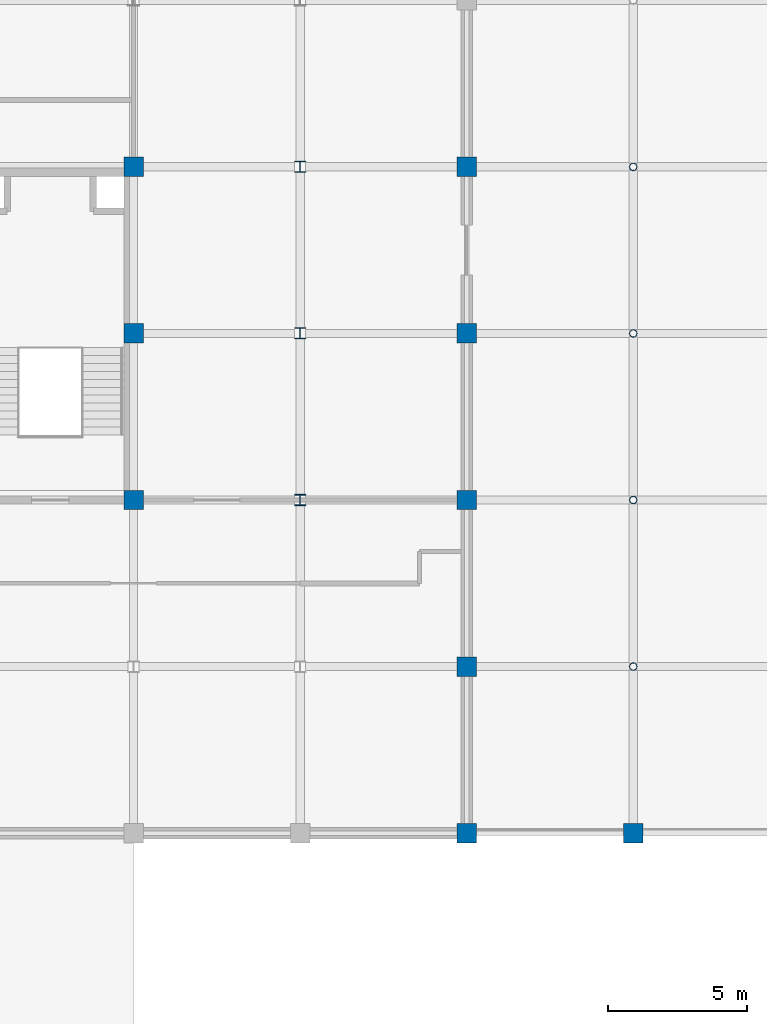
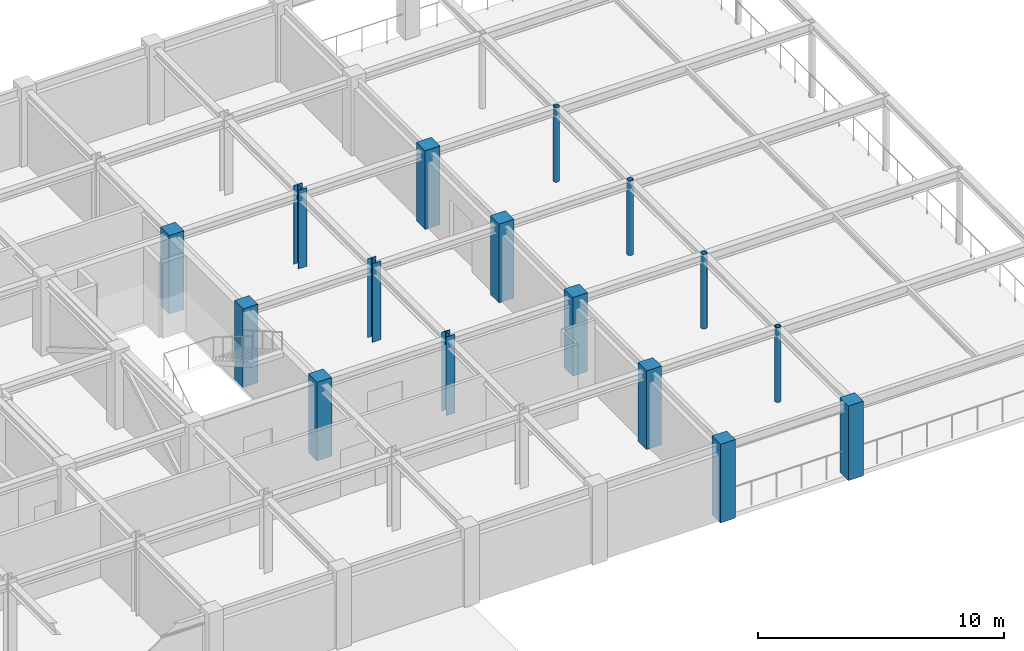
# One storey, part 5 of 25: 16 columns.
"""IFC4 building model written with IfcOpenShell, lengths in metres."""

from ifc_helpers import new_model, si_unit, direction, frame, origin, origin_2d, place, context, subcontext, project, spatial, rectangle, hollow_circle, i_section, extrude, material, material_profile, profile_set, type_object, element, save


model = new_model("IFC4")

# Units and contexts
model_context = context("Model", 3, precision=1e-05, world=origin(), true_north=direction((0.0, 1.0)))
body_context = subcontext(model_context, "Body", "Model", "MODEL_VIEW")
ifc_project = project(units=[si_unit("LENGTHUNIT", "METRE"), si_unit("AREAUNIT", "SQUARE_METRE"), si_unit("VOLUMEUNIT", "CUBIC_METRE"), si_unit("PLANEANGLEUNIT", "RADIAN"), si_unit("MASSUNIT", "GRAM", prefix="KILO")], contexts=[model_context])

# Site, building, storey
site_placement = place(None, origin())
site = spatial("IfcSite", under=ifc_project, at=site_placement, CompositionType="ELEMENT")
building_placement = place(site_placement, origin())
building = spatial("IfcBuilding", under=site, at=building_placement, Name="Zlatovratsky Civic Hall", CompositionType="ELEMENT")
storey_placement = place(building_placement, frame((0.0, 0.0, 21.0)))
storey = spatial("IfcBuildingStorey", under=building, at=storey_placement, Name="L05", CompositionType="ELEMENT", Elevation=21.0)

# Columns
ifc_material_1 = material(Name="Concrete C35/45 (B40)", Category="concrete")
ifc_material_profile_1 = material_profile(ifc_material_1, rectangle(XDim=0.699951171875, YDim=0.699951171875, at=origin_2d()), Name="RC 700x700")
ifc_profile_set_1 = profile_set([ifc_material_profile_1], Name="Concrete C35/45 (B40)")
column_type_1 = type_object("IfcColumnType", Name="Col_CorePier_RC700", PredefinedType="COLUMN", material=ifc_profile_set_1)
column_1_placement = place(storey_placement, frame((114.0, 72.0, 0.0), z_axis=(0.0, 0.0, 1.0), x_axis=(1.0, 0.0, 0.0)))
element("IfcColumn", 1, at=column_1_placement, inside=storey, type_object=column_type_1, Name="CL-1925", PredefinedType="COLUMN", context=body_context, shape_type="SweptSolid", body=[
    extrude(rectangle(XDim=0.699951171875, YDim=0.699951171875, at=origin_2d()), origin(), (0.0, 0.0, 1.0), 3.89990234375),
])
column_2_placement = place(storey_placement, frame((120.0, 72.0, 0.0), z_axis=(0.0, 0.0, 1.0), x_axis=(1.0, 0.0, 0.0)))
element("IfcColumn", 2, at=column_2_placement, inside=storey, type_object=column_type_1, Name="CL-1926", PredefinedType="COLUMN", context=body_context, shape_type="SweptSolid", body=[
    extrude(rectangle(XDim=0.699951171875, YDim=0.699951171875, at=origin_2d()), origin(), (0.0, 0.0, 1.0), 3.699951171875),
])
for number, where, z_axis, x_axis, name in (
    (3, (114.0, 78.0, 0.0), (0.0, 0.0, 1.0), (1.0, 0.0, 0.0), "CL-1940"),
    (4, (102.0, 84.0, 0.0), (0.0, 0.0, 1.0), (1.0, 0.0, 0.0), "CL-1953"),
    (5, (114.0, 84.0, 0.0), (0.0, 0.0, 1.0), (1.0, 0.0, 0.0), "CL-1955"),
    (6, (102.0, 90.0, 0.0), (0.0, 0.0, 1.0), (1.0, 0.0, 0.0), "CL-1968"),
    (7, (114.0, 90.0, 0.0), (0.0, 0.0, 1.0), (1.0, 0.0, 0.0), "CL-1970"),
    (8, (102.0, 96.0, 0.0), (0.0, 0.0, 1.0), (1.0, 0.0, 0.0), "CL-1983"),
    (9, (114.0, 96.0, 0.0), (0.0, 0.0, 1.0), (1.0, 0.0, 0.0), "CL-1985"),
):
    element("IfcColumn", number, at=place(storey_placement, frame(where, z_axis=z_axis, x_axis=x_axis)), inside=storey, type_object=column_type_1, Name=name, PredefinedType="COLUMN", context=body_context, shape_type="SweptSolid", body=[
        extrude(rectangle(XDim=0.699951171875, YDim=0.699951171875, at=origin_2d()), origin(), (0.0, 0.0, 1.0), 3.89990234375),
    ])
ifc_material_2 = material(Name="Steel S355", Category="steel")
ifc_material_profile_2 = material_profile(ifc_material_2, hollow_circle(Radius=0.136474609375, WallThickness=0.010009765625, at=origin_2d()), Name="CHS 273x10")
ifc_profile_set_2 = profile_set([ifc_material_profile_2], Name="Steel S355")
column_type_2 = type_object("IfcColumnType", Name="Col_Portico_CHS273", PredefinedType="COLUMN", material=ifc_profile_set_2)
for number, where, z_axis, x_axis, name in (
    (10, (120.0, 78.0, 0.0), (0.0, 0.0, 1.0), (1.0, 0.0, 0.0), "CL-1941"),
    (11, (120.0, 84.0, 0.0), (0.0, 0.0, 1.0), (1.0, 0.0, 0.0), "CL-1956"),
    (12, (120.0, 90.0, 0.0), (0.0, 0.0, 1.0), (1.0, 0.0, 0.0), "CL-1971"),
    (13, (120.0, 96.0, 0.0), (0.0, 0.0, 1.0), (1.0, 0.0, 0.0), "CL-1986"),
):
    element("IfcColumn", number, at=place(storey_placement, frame(where, z_axis=z_axis, x_axis=x_axis)), inside=storey, type_object=column_type_2, Name=name, PredefinedType="COLUMN", context=body_context, shape_type="SweptSolid", body=[
        extrude(hollow_circle(Radius=0.136474609375, WallThickness=0.010009765625, at=origin_2d()), origin(), (0.0, 0.0, 1.0), 3.699951171875),
    ])
ifc_material_profile_3 = material_profile(ifc_material_2, i_section(OverallWidth=0.39990234375, OverallDepth=0.39990234375, WebThickness=0.012939453125, FlangeThickness=0.02099609375, FilletRadius=0.02197265625, at=origin_2d()), Name="40K2")
ifc_profile_set_3 = profile_set([ifc_material_profile_3], Name="Steel S355")
column_type_3 = type_object("IfcColumnType", Name="Col_Steel_40K2", PredefinedType="COLUMN", material=ifc_profile_set_3)
for number, where, z_axis, x_axis, name in (
    (14, (108.0, 84.0, 0.0), (0.0, 0.0, 1.0), (1.0, 0.0, 0.0), "CL-1954"),
    (15, (108.0, 90.0, 0.0), (0.0, 0.0, 1.0), (1.0, 0.0, 0.0), "CL-1969"),
    (16, (108.0, 96.0, 0.0), (0.0, 0.0, 1.0), (1.0, 0.0, 0.0), "CL-1984"),
):
    element("IfcColumn", number, at=place(storey_placement, frame(where, z_axis=z_axis, x_axis=x_axis)), inside=storey, type_object=column_type_3, Name=name, PredefinedType="COLUMN", context=body_context, shape_type="SweptSolid", body=[
        extrude(i_section(OverallWidth=0.39990234375, OverallDepth=0.39990234375, WebThickness=0.012939453125, FlangeThickness=0.02099609375, FilletRadius=0.02197265625, at=origin_2d()), origin(), (0.0, 0.0, 1.0), 3.89990234375),
    ])

save(model, "model.ifc")
